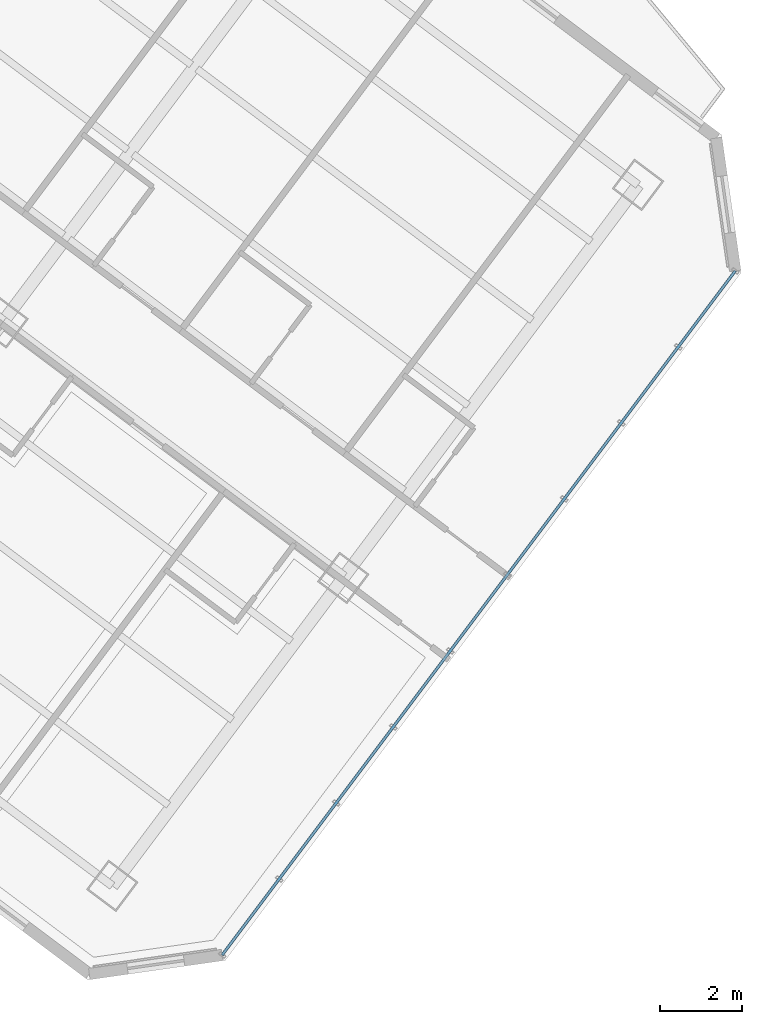
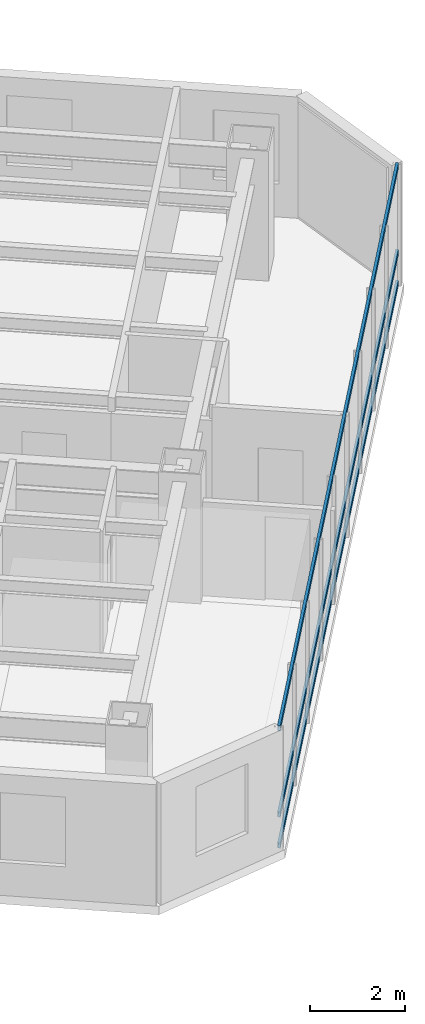
# One storey, part 9 of 30: 3 members, 1 element without a shape of its own.
"""IFC4 building model written with IfcOpenShell, lengths in metres."""

import ifcopenshell
import ifcopenshell.guid

model = None  # the IFC model being written
_history = None  # IfcOwnerHistory: only IFC2X3 demands one
_inside = {}  # id of a spatial element -> (the spatial element, [elements in it])
_under = {}  # id of a project, library or spatial element -> (it, [spatial elements below it])
_declared = {}  # id of a project -> (the project, [libraries it declares])
_typed = {}  # id of a type object -> (the type object, [elements of that type])
_made_of = {}  # id of a material, layer set ... -> (it, [elements and type objects made of it])


def new_model(schema):
    """Start an empty IFC model of exactly this schema.

    Asked for "IFC4X3", IfcOpenShell would pick the latest addendum, in which some entities
    have other attributes; the version numbers below select the first issue.
    IFC2X3 requires an IfcOwnerHistory on every rooted entity: one is made here for all.
    """
    global model, _history
    if schema == "IFC4X3":
        model = ifcopenshell.file(schema_version=(4, 3, 0, 0))
    else:
        model = ifcopenshell.file(schema=schema)
    _inside.clear()
    _under.clear()
    _declared.clear()
    _typed.clear()
    _made_of.clear()
    _history = None
    if model.schema == "IFC2X3":
        org = make("IfcOrganization", Name="unknown")
        user = make(
            "IfcPersonAndOrganization",
            ThePerson=make("IfcPerson", FamilyName="unknown"),
            TheOrganization=org,
        )
        app = make(
            "IfcApplication",
            ApplicationDeveloper=org,
            Version="unknown",
            ApplicationFullName="unknown",
            ApplicationIdentifier="unknown",
        )
        _history = make(
            "IfcOwnerHistory",
            OwningUser=user,
            OwningApplication=app,
            ChangeAction="ADDED",
            CreationDate=0,
        )
    return model


def make(cls, **values):
    """One entity of the class cls with the attributes given. An attribute that is None is left unset."""
    return model.create_entity(
        cls, **{name: value for name, value in values.items() if value is not None}
    )


def rooted(cls, **values):
    """An entity with a GlobalId (a new one), such as an element, a storey or a relation."""
    return make(cls, GlobalId=ifcopenshell.guid.new(), OwnerHistory=_history, **values)


def si_unit(unit_type, name, prefix=None):
    """IfcSIUnit, for example si_unit("LENGTHUNIT", "METRE", prefix="MILLI")."""
    return make("IfcSIUnit", UnitType=unit_type, Prefix=prefix, Name=name)


def assignment(units):
    """IfcUnitAssignment: the units of a project."""
    return None if units is None else make("IfcUnitAssignment", Units=units)


def point(xyz):
    """IfcCartesianPoint."""
    return None if xyz is None else make("IfcCartesianPoint", Coordinates=xyz)


def direction(xyz):
    """IfcDirection."""
    return None if xyz is None else make("IfcDirection", DirectionRatios=xyz)


def frame(location, z_axis=None, x_axis=None):
    """IfcAxis2Placement3D, a coordinate frame: its origin and axes. An axis left out is left unset."""
    return make(
        "IfcAxis2Placement3D",
        Location=point(location),
        Axis=direction(z_axis),
        RefDirection=direction(x_axis),
    )


def frame_2d(location, x_axis=None):
    """IfcAxis2Placement2D, a coordinate frame in the plane: its origin and x axis."""
    return make(
        "IfcAxis2Placement2D", Location=point(location), RefDirection=direction(x_axis)
    )


def origin():
    """The frame at (0, 0, 0) with its axes left unset."""
    return frame((0.0, 0.0, 0.0))


def origin_2d():
    """The frame at (0, 0) in the plane with its x axis left unset."""
    return frame_2d((0.0, 0.0))


def place(relative_to, where):
    """IfcLocalPlacement: puts the frame where relative to a parent placement (None: the world)."""
    return make(
        "IfcLocalPlacement", PlacementRelTo=relative_to, RelativePlacement=where
    )


def context(
    kind, dimensions, precision=None, world=None, true_north=None, identifier=None
):
    """IfcGeometricRepresentationContext, for example the 3D "Model" context."""
    return make(
        "IfcGeometricRepresentationContext",
        ContextIdentifier=identifier,
        ContextType=kind,
        CoordinateSpaceDimension=dimensions,
        Precision=precision,
        WorldCoordinateSystem=world,
        TrueNorth=true_north,
    )


def subcontext(parent, identifier, kind, view, scale=None):
    """IfcGeometricRepresentationSubContext, for example "Body" below "Model"."""
    return make(
        "IfcGeometricRepresentationSubContext",
        ContextIdentifier=identifier,
        ContextType=kind,
        ParentContext=parent,
        TargetScale=scale,
        TargetView=view,
    )


def project(units=None, contexts=None):
    """IfcProject with its units and contexts."""
    return rooted(
        "IfcProject",
        Name="project",
        RepresentationContexts=contexts,
        UnitsInContext=assignment(units),
    )


def spatial(cls, under=None, at=None, **own):
    """A site, building, storey or space (cls), placed at a placement, below another one or the project."""
    s = rooted(cls, ObjectPlacement=at, **own)
    if under is not None:
        _under.setdefault(under.id(), (under, []))[1].append(s)
    return s


def profile(cls, at=None, kind="AREA", **sizes):
    """A parametric profile (cls). Its sizes go by their IFC names, for example OverallWidth=200.0."""
    return make(cls, ProfileType=kind, Position=at, **sizes)


def hollow_rectangle(**sizes):
    """IfcRectangleHollowProfileDef."""
    return profile("IfcRectangleHollowProfileDef", **sizes)


def extrude(swept, where, along, depth):
    """IfcExtrudedAreaSolid: the profile swept, set in the frame where, extruded along a direction by depth."""
    return make(
        "IfcExtrudedAreaSolid",
        SweptArea=swept,
        Position=where,
        ExtrudedDirection=direction(along),
        Depth=depth,
    )


def shape(context_of_items, identifier, shape_type, items):
    """IfcShapeRepresentation: the items that make up one representation, for example the "Body"."""
    return make(
        "IfcShapeRepresentation",
        ContextOfItems=context_of_items,
        RepresentationIdentifier=identifier,
        RepresentationType=shape_type,
        Items=items,
    )


def material(Name=None, Category=None):
    """IfcMaterial."""
    return make("IfcMaterial", Name=Name, Category=Category)


def layer(
    of_material, thickness, ventilated=None, Name=None, Category=None, Priority=None
):
    """IfcMaterialLayer: one layer of a wall or slab, of a material (None: an air gap)."""
    return make(
        "IfcMaterialLayer",
        Material=of_material,
        LayerThickness=thickness,
        IsVentilated=ventilated,
        Name=Name,
        Category=Category,
        Priority=Priority,
    )


def layer_set(layers, Name=None):
    """IfcMaterialLayerSet."""
    return make("IfcMaterialLayerSet", MaterialLayers=layers, LayerSetName=Name)


def material_profile(
    of_material, cross_section, Name=None, Category=None, Priority=None
):
    """IfcMaterialProfile: a cross section and its material."""
    return make(
        "IfcMaterialProfile",
        Name=Name,
        Material=of_material,
        Profile=cross_section,
        Priority=Priority,
        Category=Category,
    )


def profile_set(profiles, Name=None, composite=None):
    """IfcMaterialProfileSet."""
    return make(
        "IfcMaterialProfileSet",
        Name=Name,
        MaterialProfiles=profiles,
        CompositeProfile=composite,
    )


def made_of(thing, what):
    """Note that an element or type object is made of a material, layer set ...; save() writes the relation."""
    if what is not None:
        _made_of.setdefault(what.id(), (what, []))[1].append(thing)
    return thing


def type_object(cls, material=None, **own):
    """A type object (cls), such as IfcWallType, which elements share."""
    return made_of(rooted(cls, **own), material)


def element(
    cls,
    number,
    at=None,
    inside=None,
    cuts=None,
    type_object=None,
    material=None,
    context=None,
    identifier="Body",
    shape_type=None,
    held_by="IfcProductDefinitionShape",
    body=None,
    shapes=None,
    **own,
):
    """One element of the class cls, such as IfcWall. Its Tag is "e" and its number.

    at: its placement. inside: the storey or other place that contains it. cuts: it is an
    opening in that element (IfcRelVoidsElement). A single representation is given by context,
    identifier, shape_type and body (its items); several are given by shapes. held_by: the class
    of the entity that holds the representations. save() writes the other relations.
    """
    e = rooted(cls, Tag="e%d" % number, ObjectPlacement=at, **own)
    if body is not None:
        shapes = [shape(context, identifier, shape_type, body)]
    if shapes is not None:
        e.Representation = make(held_by, Representations=shapes)
    if inside is not None:
        _inside.setdefault(inside.id(), (inside, []))[1].append(e)
    if cuts is not None:
        rooted(
            "IfcRelVoidsElement", RelatingBuildingElement=cuts, RelatedOpeningElement=e
        )
    if type_object is not None:
        _typed.setdefault(type_object.id(), (type_object, []))[1].append(e)
    return made_of(e, material)


def aggregate(whole, parts):
    """IfcRelAggregates: a whole, such as a stair, and the parts it consists of."""
    return rooted("IfcRelAggregates", RelatingObject=whole, RelatedObjects=parts)


def save(model, path):
    """Write the relations noted so far, then the file.

    IfcRelAggregates (storeys below a building ...), IfcRelContainedInSpatialStructure (elements
    in a storey), IfcRelDefinesByType, IfcRelAssociatesMaterial and IfcRelDeclares: one each for
    every whole, place, type object, material and project.
    """
    for whole, parts in _under.values():
        aggregate(whole, parts)
    for where, things in _inside.values():
        rooted(
            "IfcRelContainedInSpatialStructure",
            RelatedElements=things,
            RelatingStructure=where,
        )
    for kind, things in _typed.values():
        rooted("IfcRelDefinesByType", RelatedObjects=things, RelatingType=kind)
    for what, things in _made_of.values():
        rooted("IfcRelAssociatesMaterial", RelatedObjects=things, RelatingMaterial=what)
    for by, libraries in _declared.values():
        rooted("IfcRelDeclares", RelatingContext=by, RelatedDefinitions=libraries)
    model.write(path)


model = new_model("IFC4")

# Units and contexts
model_context = context("Model", 3, precision=1e-05, world=origin(), true_north=direction((0.0, 1.0)))
body_context = subcontext(model_context, "Body", "Model", "MODEL_VIEW")
ifc_project = project(units=[si_unit("LENGTHUNIT", "METRE"), si_unit("AREAUNIT", "SQUARE_METRE"), si_unit("VOLUMEUNIT", "CUBIC_METRE"), si_unit("PLANEANGLEUNIT", "RADIAN"), si_unit("MASSUNIT", "GRAM", prefix="KILO")], contexts=[model_context])

# Site, building, storey
site_placement = place(None, origin())
site = spatial("IfcSite", under=ifc_project, at=site_placement, CompositionType="ELEMENT")
building_placement = place(site_placement, origin())
building = spatial("IfcBuilding", under=site, at=building_placement, Name="Hatsunagi Terrace Concourse", CompositionType="ELEMENT")
storey_placement = place(building_placement, frame((0.0, 0.0, 74.60009765625)))
storey = spatial("IfcBuildingStorey", under=building, at=storey_placement, Name="L19", CompositionType="ELEMENT", Elevation=74.60009765625)

# Curtain wall, members
ifc_material_1 = material(Name="Anodised Aluminium Alloy 6063-T5", Category="aluminium")
ifc_layer = layer(ifc_material_1, 0.199951171875)
ifc_layer_set = layer_set([ifc_layer], Name="HotelFacade_CW02")
curtain_wall_type = type_object("IfcCurtainWallType", Name="HotelFacade_CW02", PredefinedType="NOTDEFINED", material=ifc_layer_set)
curtain_wall_placement = place(storey_placement, origin())
curtain_wall = element("IfcCurtainWall", 1, at=curtain_wall_placement, inside=storey, type_object=curtain_wall_type, Name="Unitised Curtain Wall CW-02 CW-L19-03", PredefinedType="NOTDEFINED")
ifc_material_2 = material(Name="Anodised Aluminium Alloy 6063-T5", Category="aluminium")
ifc_material_profile = material_profile(ifc_material_2, hollow_rectangle(XDim=0.06494140625, YDim=0.139892578125, WallThickness=0.00390625, at=origin_2d()), Name="ALU-TRN-140x65x4")
ifc_profile_set = profile_set([ifc_material_profile], Name="Anodised Aluminium Alloy 6063-T5")
member_type = type_object("IfcMemberType", Name="CurtainWallTransom_140x65", PredefinedType="USERDEFINED", material=ifc_profile_set)
member_1_placement = place(storey_placement, frame((69.093017578125, 19.657958984375, 0.0498046875), z_axis=(-0.599970072971, -0.800022444397, 0.0), x_axis=(0.800022444397, -0.599970072971, 0.0)))
member_1 = element("IfcMember", 2, at=member_1_placement, type_object=member_type, Name="Curtain Wall Transom TRN-02", ObjectType="TRANSOM", PredefinedType="USERDEFINED", context=body_context, shape_type="SweptSolid", body=[
    extrude(hollow_rectangle(XDim=0.06494140625, YDim=0.139892578125, WallThickness=0.00390625, at=origin_2d()), origin(), (0.0, 0.0, 1.0), 20.884521484375),
])
member_2_placement = place(storey_placement, frame((69.093017578125, 19.657958984375, 0.849853515625), z_axis=(-0.599970072971, -0.800022444397, 0.0), x_axis=(0.800022444397, -0.599970072971, 0.0)))
member_2 = element("IfcMember", 3, at=member_2_placement, type_object=member_type, Name="Curtain Wall Transom TRN-02", ObjectType="TRANSOM", PredefinedType="USERDEFINED", context=body_context, shape_type="SweptSolid", body=[
    extrude(hollow_rectangle(XDim=0.06494140625, YDim=0.139892578125, WallThickness=0.00390625, at=origin_2d()), origin(), (0.0, 0.0, 1.0), 20.884521484375),
])
member_3_placement = place(storey_placement, frame((69.093017578125, 19.657958984375, 3.079833984375), z_axis=(-0.599970072971, -0.800022444397, 0.0), x_axis=(0.800022444397, -0.599970072971, 0.0)))
member_3 = element("IfcMember", 4, at=member_3_placement, type_object=member_type, Name="Curtain Wall Transom TRN-02", ObjectType="TRANSOM", PredefinedType="USERDEFINED", context=body_context, shape_type="SweptSolid", body=[
    extrude(hollow_rectangle(XDim=0.06494140625, YDim=0.139892578125, WallThickness=0.00390625, at=origin_2d()), origin(), (0.0, 0.0, 1.0), 20.884521484375),
])
aggregate(curtain_wall, [member_1, member_2, member_3])

save(model, "model.ifc")
